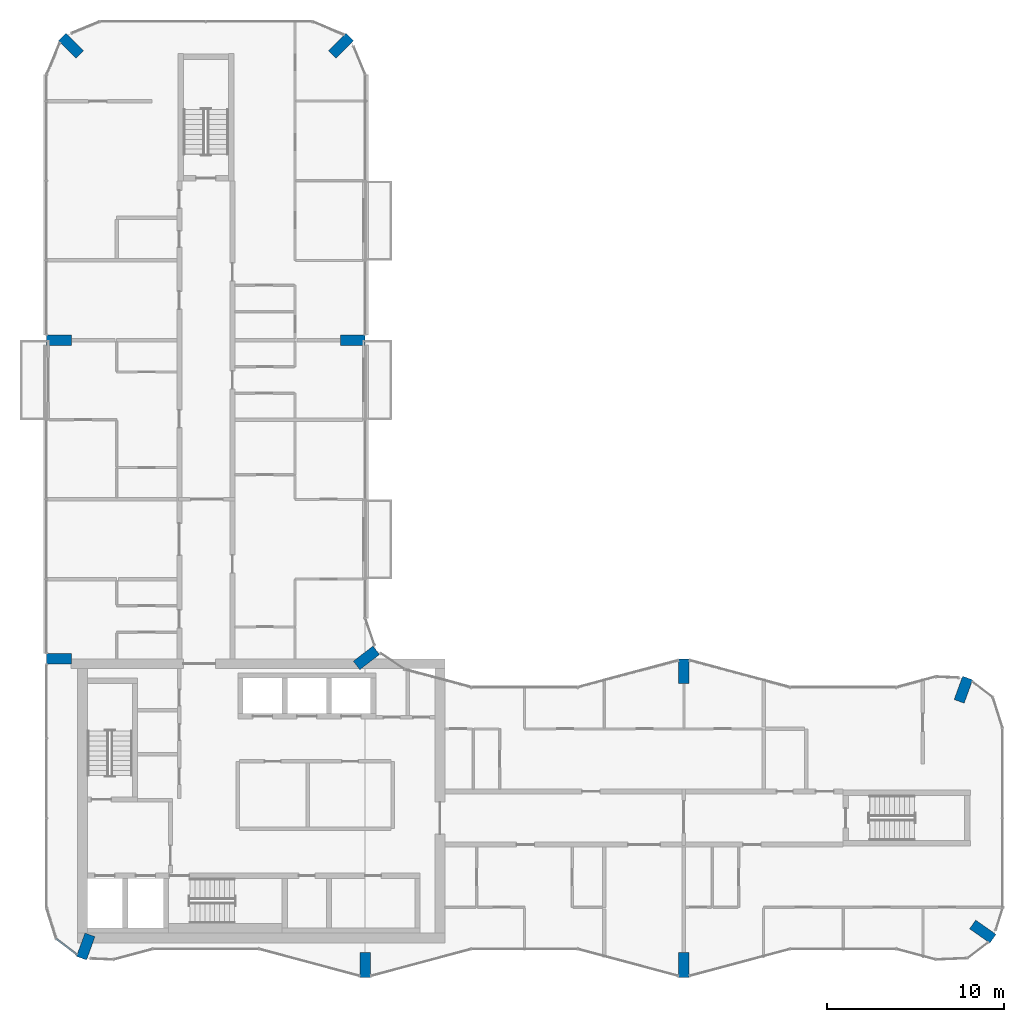
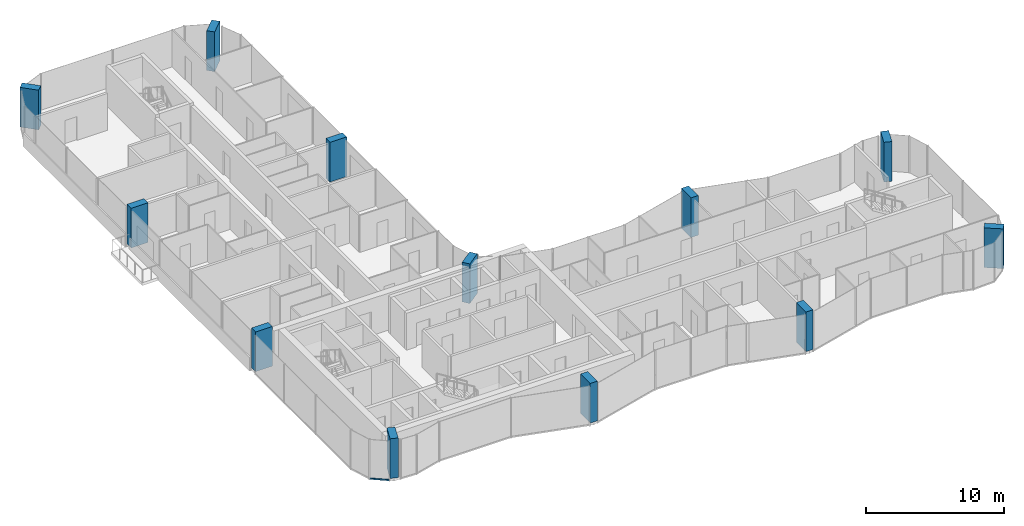
# One storey, part 1 of 15: 12 columns, 1 member, 1 element without a shape of its own.
"""IFC4 building model written with IfcOpenShell, lengths in metres."""

from ifc_helpers import new_model, si_unit, direction, frame, origin, origin_2d, place, context, subcontext, project, spatial, rectangle, extrude, material, layer, layer_set, material_profile, profile_set, type_object, element, aggregate, save


model = new_model("IFC4")

# Units and contexts
model_context = context("Model", 3, precision=1e-05, world=origin(), true_north=direction((0.0, 1.0)))
body_context = subcontext(model_context, "Body", "Model", "MODEL_VIEW")
ifc_project = project(units=[si_unit("LENGTHUNIT", "METRE"), si_unit("AREAUNIT", "SQUARE_METRE"), si_unit("VOLUMEUNIT", "CUBIC_METRE"), si_unit("PLANEANGLEUNIT", "RADIAN"), si_unit("MASSUNIT", "GRAM", prefix="KILO")], contexts=[model_context])

# Site, building, storey
site_placement = place(None, origin())
site = spatial("IfcSite", under=ifc_project, at=site_placement, CompositionType="ELEMENT")
building_placement = place(site_placement, origin())
building = spatial("IfcBuilding", under=site, at=building_placement, Name="Plateau Cross Towers", CompositionType="ELEMENT")
storey_placement = place(building_placement, frame((0.0, 0.0, 201.39990234375)))
storey = spatial("IfcBuildingStorey", under=building, at=storey_placement, Name="L52", CompositionType="ELEMENT", Elevation=201.39990234375)

# Columns
ifc_material_1 = material(Name="Concrete C60/75", Category="concrete")
ifc_material_profile_1 = material_profile(ifc_material_1, rectangle(XDim=0.60009765625, YDim=1.39990234375, at=origin_2d()), Name="RC 600x1400")
ifc_profile_set_1 = profile_set([ifc_material_profile_1], Name="Concrete C60/75")
column_type = type_object("IfcColumnType", Name="Fin pier column RC 600x1400", PredefinedType="COLUMN", material=ifc_profile_set_1)
for number, where, z_axis, x_axis, name in (
    (1, (18.0, 0.699951171875, 0.0), (0.0, 0.0, 1.0), (1.0, 0.0, 0.0), "PR1 L52"),
    (2, (36.0, 0.699951171875, 0.0), (0.0, 0.0, 1.0), (1.0, 0.0, 0.0), "PR2 L52"),
    (3, (52.884033203125, 2.590087890625, 0.0), (0.0, 0.0, 1.0), (0.573542637991, 0.819175709117, 0.0), "PR3 L52"),
    (4, (51.786865234375, 16.251953125, 0.0), (0.0, 0.0, 1.0), (-0.939664280925, 0.342097996418, 0.0), "PR4 L52"),
    (5, (36.0, 17.300048828125, 0.0), (0.0, 0.0, 1.0), (1.0, 0.0, 0.0), "PR5 L52"),
    (6, (18.064697265625, 18.049560546875, 0.0), (0.0, 0.0, 1.0), (-0.608810846443, 0.793315418515, 0.0), "PR6 L52"),
    (7, (17.300048828125, 36.0, 0.0), (0.0, 0.0, 1.0), (0.0, 1.0, 0.0), "PR7 L52"),
    (8, (16.62646484375, 52.62646484375, 0.0), (0.0, 0.0, 1.0), (-0.707106781187, 0.707106781187, 0.0), "PR8 L52"),
    (9, (1.37353515625, 52.62646484375, 0.0), (0.0, 0.0, 1.0), (0.707106781187, 0.707106781187, 0.0), "PR9 L52"),
    (10, (0.699951171875, 36.0, 0.0), (0.0, 0.0, 1.0), (0.0, 1.0, 0.0), "PR10 L52"),
    (11, (0.699951171875, 18.0, 0.0), (0.0, 0.0, 1.0), (0.0, 1.0, 0.0), "PR11 L52"),
    (12, (2.213134765625, 1.748046875, 0.0), (0.0, 0.0, 1.0), (-0.939664280925, 0.342097996418, 0.0), "PR12 L52"),
):
    element("IfcColumn", number, at=place(storey_placement, frame(where, z_axis=z_axis, x_axis=x_axis)), inside=storey, type_object=column_type, Name=name, PredefinedType="COLUMN", context=body_context, shape_type="SweptSolid", body=[
        extrude(rectangle(XDim=0.60009765625, YDim=1.39990234375, at=origin_2d()), origin(), (0.0, 0.0, 1.0), 3.5),
    ])

# Curtain wall, member
ifc_material_2 = material(Name="Dark low-iron glass", Category="glass")
ifc_layer = layer(ifc_material_2, 0.239990234375)
ifc_layer_set = layer_set([ifc_layer], Name="Dark low-iron glass")
curtain_wall_type = type_object("IfcCurtainWallType", Name="Curtain wall flush unitised CW-B", PredefinedType="NOTDEFINED", material=ifc_layer_set)
curtain_wall_placement = place(storey_placement, origin())
curtain_wall = element("IfcCurtainWall", 13, at=curtain_wall_placement, inside=storey, type_object=curtain_wall_type, Name="ENV/A/L52/A5_22", PredefinedType="NOTDEFINED")
ifc_material_3 = material(Name="Black anodised aluminium", Category="aluminium")
ifc_material_profile_2 = material_profile(ifc_material_3, rectangle(XDim=0.10009765625, YDim=0.1201171875, at=origin_2d()), Name="TRANSOM 100x120")
ifc_profile_set_2 = profile_set([ifc_material_profile_2], Name="Black anodised aluminium")
member_type = type_object("IfcMemberType", Name="Transom 100x120 flush unitised", PredefinedType="USERDEFINED", material=ifc_profile_set_2)
member_placement = place(storey_placement, frame((0.54248046875, 2.1884765625, -0.18994140625), z_axis=(0.793320508571, -0.608804213751, 0.0), x_axis=(0.608804213751, 0.793320508571, 0.0)))
member = element("IfcMember", 14, at=member_placement, type_object=member_type, Name="CW-B transom", ObjectType="TRANSOM", PredefinedType="USERDEFINED", context=body_context, shape_type="SweptSolid", body=[
    extrude(rectangle(XDim=0.10009765625, YDim=0.1201171875, at=origin_2d()), origin(), (0.0, 0.0, 1.0), 1.471435546875),
])
aggregate(curtain_wall, [member])

save(model, "model.ifc")
